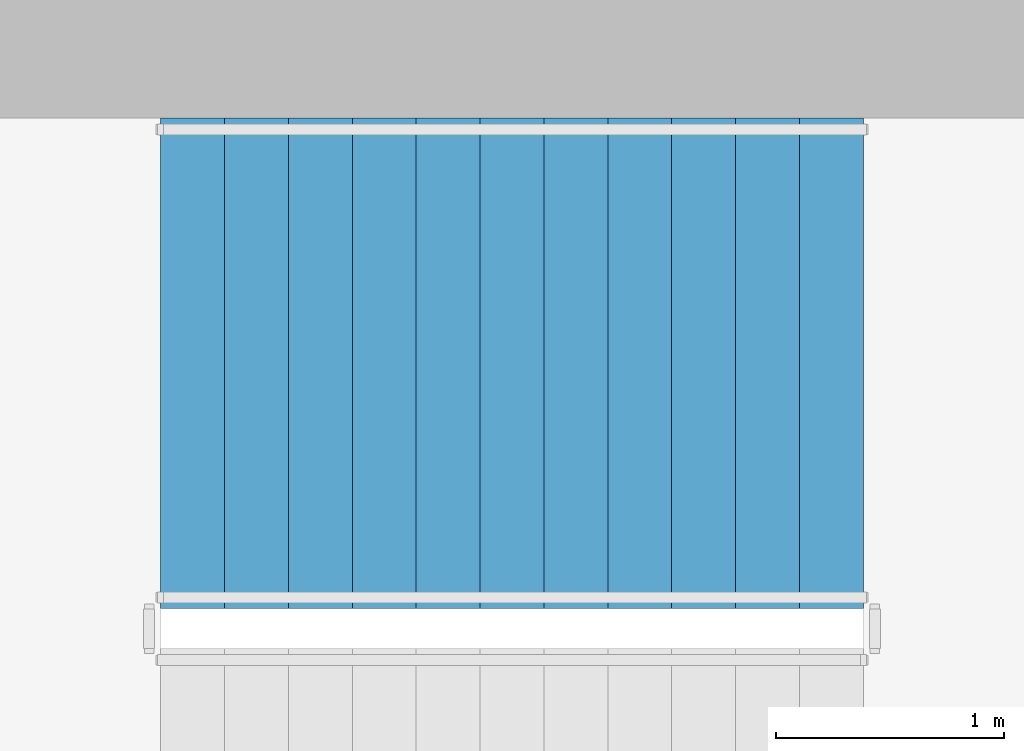
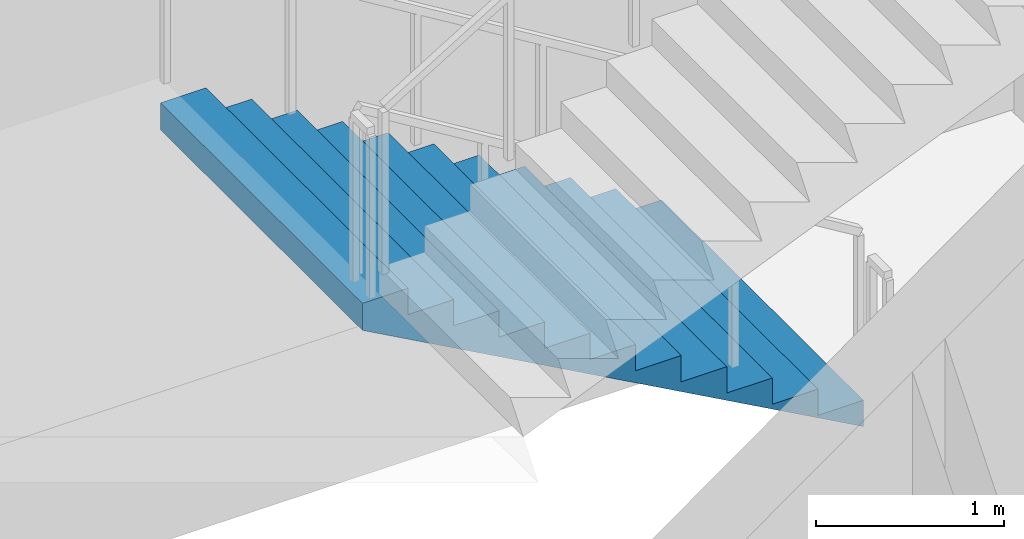
# One storey, part 10 of 15: 1 stair flight, 1 element without a shape of its own.
"""IFC4 building model written with IfcOpenShell, lengths in metres."""

from ifc_helpers import new_model, si_unit, direction, frame, origin, place, context, subcontext, project, spatial, triangles, material, type_object, element, aggregate, save


model = new_model("IFC4")

# Units and contexts
model_context = context("Model", 3, precision=1e-05, world=origin(), true_north=direction((0.0, 1.0)))
body_context = subcontext(model_context, "Body", "Model", "MODEL_VIEW")
ifc_project = project(units=[si_unit("LENGTHUNIT", "METRE"), si_unit("AREAUNIT", "SQUARE_METRE"), si_unit("VOLUMEUNIT", "CUBIC_METRE"), si_unit("PLANEANGLEUNIT", "RADIAN"), si_unit("MASSUNIT", "GRAM", prefix="KILO")], contexts=[model_context])

# Site, building, storey
site_placement = place(None, origin())
site = spatial("IfcSite", under=ifc_project, at=site_placement, CompositionType="ELEMENT")
building_placement = place(site_placement, origin())
building = spatial("IfcBuilding", under=site, at=building_placement, Name="Cypress Arch Tower", CompositionType="ELEMENT")
storey_placement = place(building_placement, frame((0.0, 0.0, 205.60009765625)))
storey = spatial("IfcBuildingStorey", under=building, at=storey_placement, Name="L45", CompositionType="ELEMENT", Elevation=205.60009765625)

# Stair, stair flight
ifc_material_1 = material(Name="Concrete C40/50", Category="concrete")
stair_type = type_object("IfcStairType", Name="Exit stair ES1708-215", PredefinedType="HALF_TURN_STAIR", material=ifc_material_1)
stair_placement = place(storey_placement, origin())
stair = element("IfcStair", 1, at=stair_placement, inside=storey, type_object=stair_type, Name="L45 Exit stair B", PredefinedType="HALF_TURN_STAIR")
ifc_material_2 = material(Name="Concrete C40/50", Category="concrete")
stair_flight_type = type_object("IfcStairFlightType", Name="Exit stair flight ES1708-215", PredefinedType="STRAIGHT", material=ifc_material_2)
stair_flight_placement = place(storey_placement, frame((-22.27490234375, 13.72509765625, 0.0), z_axis=(0.0, 0.0, 1.0), x_axis=(-1.0, 0.0, 0.0)))
stair_flight = element("IfcStairFlight", 2, at=stair_flight_placement, type_object=stair_flight_type, Name="B flight 1", NumberOfRisers=12, NumberOfTreads=11, PredefinedType="STRAIGHT", RiserHeight=0.170833333, TreadLength=0.28, context=body_context, shape_type="Tessellation", body=[
    triangles([(0.0, -1.074951171875, 0.0), (0.000244140625, -1.074951171875, 0.01904296875), (0.000244140625, -1.074951171875, 0.0380859375), (0.00048828125, -1.074951171875, 0.056884765625), (0.00048828125, -1.074951171875, 0.075927734375), (0.00048828125, -1.074951171875, 0.094970703125), (0.00048828125, -1.074951171875, 0.114013671875), (0.000244140625, -1.074951171875, 0.1328125), (0.000244140625, -1.074951171875, 0.15185546875), (0.0, -1.074951171875, 0.1708984375), (0.280029296875, -1.074951171875, 0.1708984375), (0.280029296875, -1.074951171875, 0.341552734375), (0.56005859375, -1.074951171875, 0.341552734375), (0.56005859375, -1.074951171875, 0.512451171875), (0.840087890625, -1.074951171875, 0.512451171875), (0.840087890625, -1.074951171875, 0.683349609375), (1.1201171875, -1.074951171875, 0.683349609375), (1.1201171875, -1.074951171875, 0.854248046875), (1.39990234375, -1.074951171875, 0.854248046875), (1.39990234375, -1.074951171875, 1.02490234375), (1.679931640625, -1.074951171875, 1.02490234375), (1.679931640625, -1.074951171875, 1.19580078125), (1.9599609375, -1.074951171875, 1.19580078125), (1.9599609375, -1.074951171875, 1.36669921875), (2.239990234375, -1.074951171875, 1.36669921875), (2.239990234375, -1.074951171875, 1.53759765625), (2.52001953125, -1.074951171875, 1.53759765625), (2.52001953125, -1.074951171875, 1.708251953125), (2.800048828125, -1.074951171875, 1.708251953125), (2.800048828125, -1.074951171875, 1.879150390625), (3.080078125, -1.074951171875, 1.879150390625), (3.079833984375, -1.074951171875, 1.859619140625), (3.079833984375, -1.074951171875, 1.840087890625), (3.07958984375, -1.074951171875, 1.820556640625), (3.07958984375, -1.074951171875, 1.801025390625), (3.07958984375, -1.074951171875, 1.78173828125), (3.07958984375, -1.074951171875, 1.76220703125), (3.079833984375, -1.074951171875, 1.74267578125), (3.079833984375, -1.074951171875, 1.72314453125), (3.080078125, -1.074951171875, 1.70361328125), (3.080078125, 1.074951171875, 1.70361328125), (3.079833984375, 1.074951171875, 1.72314453125), (3.079833984375, 1.074951171875, 1.74267578125), (3.07958984375, 1.074951171875, 1.76220703125), (3.07958984375, 1.074951171875, 1.78173828125), (3.07958984375, 1.074951171875, 1.801025390625), (3.07958984375, 1.074951171875, 1.820556640625), (3.079833984375, 1.074951171875, 1.840087890625), (3.079833984375, 1.074951171875, 1.859619140625), (3.080078125, 1.074951171875, 1.879150390625), (2.800048828125, 1.074951171875, 1.879150390625), (2.800048828125, 1.074951171875, 1.708251953125), (2.52001953125, 1.074951171875, 1.708251953125), (2.52001953125, 1.074951171875, 1.53759765625), (2.239990234375, 1.074951171875, 1.53759765625), (2.239990234375, 1.074951171875, 1.36669921875), (1.9599609375, 1.074951171875, 1.36669921875), (1.9599609375, 1.074951171875, 1.19580078125), (1.679931640625, 1.074951171875, 1.19580078125), (1.679931640625, 1.074951171875, 1.02490234375), (1.39990234375, 1.074951171875, 1.02490234375), (1.39990234375, 1.074951171875, 0.854248046875), (1.1201171875, 1.074951171875, 0.854248046875), (1.1201171875, 1.074951171875, 0.683349609375), (0.840087890625, 1.074951171875, 0.683349609375), (0.840087890625, 1.074951171875, 0.512451171875), (0.56005859375, 1.074951171875, 0.512451171875), (0.56005859375, 1.074951171875, 0.341552734375), (0.280029296875, 1.074951171875, 0.341552734375), (0.280029296875, 1.074951171875, 0.1708984375), (0.0, 1.074951171875, 0.1708984375), (0.000244140625, 1.074951171875, 0.15185546875), (0.000244140625, 1.074951171875, 0.1328125), (0.00048828125, 1.074951171875, 0.114013671875), (0.00048828125, 1.074951171875, 0.094970703125), (0.00048828125, 1.074951171875, 0.075927734375), (0.00048828125, 1.074951171875, 0.056884765625), (0.000244140625, 1.074951171875, 0.0380859375), (0.000244140625, 1.074951171875, 0.01904296875), (0.0, 1.074951171875, 0.0)], [[40, 39, 30], [39, 38, 30], [38, 37, 30], [37, 36, 30], [36, 35, 30], [35, 34, 30], [34, 33, 30], [33, 32, 30], [32, 31, 30], [19, 18, 17], [27, 26, 25], [25, 24, 23], [23, 22, 21], [17, 16, 15], [15, 14, 13], [10, 9, 11], [9, 8, 11], [8, 7, 11], [7, 6, 11], [6, 5, 11], [5, 4, 11], [4, 3, 11], [3, 2, 11], [2, 1, 11], [29, 28, 27], [21, 20, 19], [13, 12, 11], [40, 30, 29], [40, 29, 27], [40, 27, 25], [40, 25, 23], [40, 23, 21], [40, 21, 19], [40, 19, 17], [40, 17, 15], [40, 15, 13], [1, 40, 13], [13, 11, 1], [41, 51, 42], [42, 51, 43], [43, 51, 44], [44, 51, 45], [45, 51, 46], [46, 51, 47], [47, 51, 48], [48, 51, 49], [49, 51, 50], [62, 64, 63], [54, 56, 55], [56, 58, 57], [58, 60, 59], [64, 66, 65], [66, 68, 67], [71, 70, 72], [72, 70, 73], [73, 70, 74], [74, 70, 75], [75, 70, 76], [76, 70, 77], [77, 70, 78], [78, 70, 79], [79, 70, 80], [52, 54, 53], [60, 62, 61], [68, 70, 69], [41, 52, 51], [41, 54, 52], [41, 56, 54], [41, 58, 56], [41, 60, 58], [41, 62, 60], [41, 64, 62], [41, 66, 64], [41, 68, 66], [80, 68, 41], [68, 80, 70], [41, 42, 39], [41, 39, 40], [42, 43, 38], [42, 38, 39], [43, 44, 37], [43, 37, 38], [44, 45, 36], [44, 36, 37], [45, 46, 35], [45, 35, 36], [46, 47, 34], [46, 34, 35], [47, 48, 33], [47, 33, 34], [48, 49, 32], [48, 32, 33], [49, 50, 31], [49, 31, 32], [50, 51, 30], [50, 30, 31], [51, 52, 29], [51, 29, 30], [52, 53, 28], [52, 28, 29], [53, 54, 27], [53, 27, 28], [54, 55, 26], [54, 26, 27], [55, 56, 25], [55, 25, 26], [56, 57, 24], [56, 24, 25], [57, 58, 23], [57, 23, 24], [58, 59, 22], [58, 22, 23], [59, 60, 21], [59, 21, 22], [60, 61, 20], [60, 20, 21], [61, 62, 19], [61, 19, 20], [62, 63, 18], [62, 18, 19], [63, 64, 17], [63, 17, 18], [64, 65, 16], [64, 16, 17], [65, 66, 15], [65, 15, 16], [66, 67, 14], [66, 14, 15], [67, 68, 13], [67, 13, 14], [68, 69, 12], [68, 12, 13], [69, 70, 11], [69, 11, 12], [70, 71, 10], [70, 10, 11], [71, 72, 9], [71, 9, 10], [72, 73, 8], [72, 8, 9], [73, 74, 7], [73, 7, 8], [74, 75, 6], [74, 6, 7], [75, 76, 5], [75, 5, 6], [76, 77, 4], [76, 4, 5], [77, 78, 3], [77, 3, 4], [78, 79, 2], [78, 2, 3], [79, 80, 1], [79, 1, 2], [80, 41, 40], [80, 40, 1]], closed=True),
])
aggregate(stair, [stair_flight])

save(model, "model.ifc")
